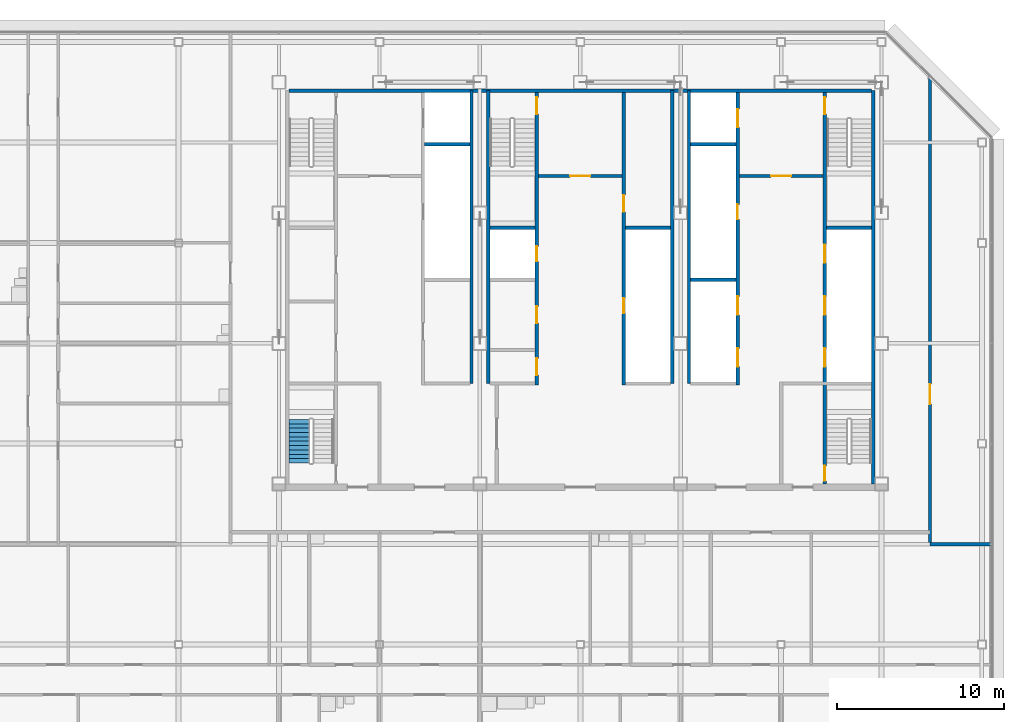
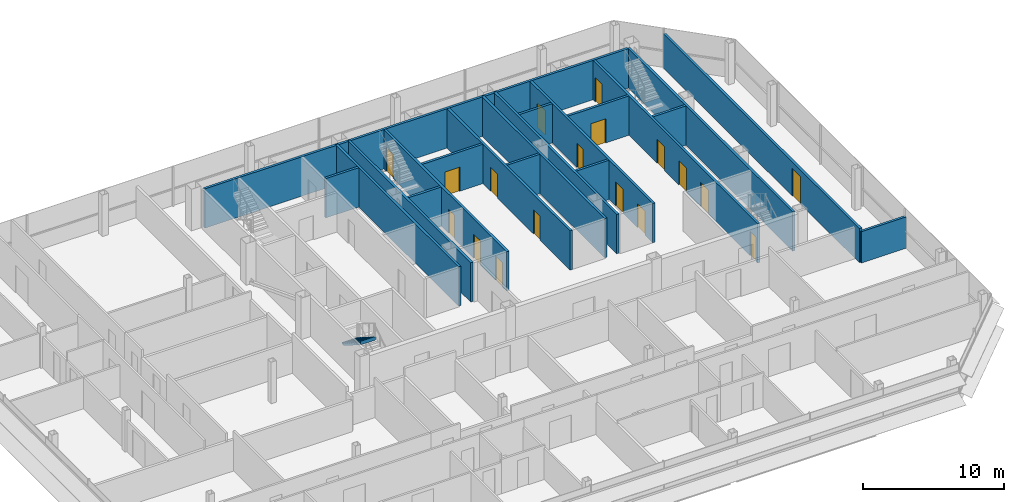
# One storey, part 24 of 27: 20 walls, 18 doors, 1 stair flight, 18 openings, 1 element without a shape of its own.
"""IFC4 building model written with IfcOpenShell, lengths in metres."""

from ifc_helpers import new_model, si_unit, direction, frame, frame_2d, origin, place, context, subcontext, project, spatial, polyline, rectangle, outline, extrude, material, layer, layer_set, type_object, element, fill, aggregate, save


model = new_model("IFC4")

# Units and contexts
model_context = context("Model", 3, precision=1e-05, world=origin(), true_north=direction((0.0, 1.0)))
body_context = subcontext(model_context, "Body", "Model", "MODEL_VIEW")
ifc_project = project(units=[si_unit("LENGTHUNIT", "METRE"), si_unit("AREAUNIT", "SQUARE_METRE"), si_unit("VOLUMEUNIT", "CUBIC_METRE"), si_unit("PLANEANGLEUNIT", "RADIAN"), si_unit("MASSUNIT", "GRAM", prefix="KILO")], contexts=[model_context])

# Site, building, storey
site_placement = place(None, origin())
site = spatial("IfcSite", under=ifc_project, at=site_placement, CompositionType="ELEMENT")
building_placement = place(site_placement, origin())
building = spatial("IfcBuilding", under=site, at=building_placement, Name="Sorahane Residences", CompositionType="ELEMENT")
storey_placement = place(building_placement, frame((0.0, 0.0, 323.199951171875)))
storey = spatial("IfcBuildingStorey", under=building, at=storey_placement, Name="L77", CompositionType="ELEMENT", Elevation=323.199951171875)

# Walls
ifc_material_1 = material(Name="Concrete C30", Category="concrete")
ifc_layer_1 = layer(ifc_material_1, 0.199951171875)
ifc_layer_set_1 = layer_set([ifc_layer_1], Name="Core face wall 200 EI 180")
wall_type_1 = type_object("IfcWallType", Name="Core face wall 200 EI 180", PredefinedType="SOLIDWALL", material=ifc_layer_set_1)
wall_1_placement = place(storey_placement, frame((41.5, 21.60009765625, 0.0), z_axis=(0.0, 0.0, 1.0), x_axis=(0.0, 1.0, 0.0)))
element("IfcWall", 1, at=wall_1_placement, inside=storey, type_object=wall_type_1, Name="L77 core face wall", PredefinedType="SOLIDWALL", context=body_context, shape_type="SweptSolid", body=[
    extrude(rectangle(XDim=23.5, YDim=0.199951171875, at=frame_2d((11.75, 0.0))), origin(), (0.0, 0.0, 1.0), 3.420166015625),
])
wall_2_placement = place(storey_placement, frame((6.60009765625, 45.10009765625, 0.0), z_axis=(0.0, 0.0, 1.0), x_axis=(1.0, 0.0, 0.0)))
element("IfcWall", 2, at=wall_2_placement, inside=storey, type_object=wall_type_1, Name="L77 core face wall", PredefinedType="SOLIDWALL", context=body_context, shape_type="SweptSolid", body=[
    extrude(rectangle(XDim=34.7998046875, YDim=0.199951171875, at=frame_2d((17.39990234375, 0.0))), origin(), (0.0, 0.0, 1.0), 3.420166015625),
])
for number, where, z_axis, x_axis, name in (
    (3, (17.5, 27.60009765625, 0.0), (0.0, 0.0, 1.0), (0.0, 1.0, 0.0), "L77 core face wall"),
    (4, (18.5, 27.60009765625, 0.0), (0.0, 0.0, 1.0), (0.0, 1.0, 0.0), "L77 core face wall"),
    (5, (29.5, 27.60009765625, 0.0), (0.0, 0.0, 1.0), (0.0, 1.0, 0.0), "L77 core face wall"),
    (6, (30.5, 27.60009765625, 0.0), (0.0, 0.0, 1.0), (0.0, 1.0, 0.0), "L77 core face wall"),
):
    element("IfcWall", number, at=place(storey_placement, frame(where, z_axis=z_axis, x_axis=x_axis)), inside=storey, type_object=wall_type_1, Name=name, PredefinedType="SOLIDWALL", context=body_context, shape_type="SweptSolid", body=[
        extrude(rectangle(XDim=17.5, YDim=0.199951171875, at=frame_2d((8.75, 0.0))), origin(), (0.0, 0.0, 1.0), 3.420166015625),
    ])

# Wall, opening, door
ifc_material_2 = material(Name="Concrete blockwork C20 wall", Category="masonry")
ifc_layer_2 = layer(ifc_material_2, 0.199951171875)
ifc_layer_set_2 = layer_set([ifc_layer_2], Name="Corridor wall 200 EI 120")
wall_type_2 = type_object("IfcWallType", Name="Corridor wall 200 EI 120", PredefinedType="SOLIDWALL", material=ifc_layer_set_2)
wall_3_placement = place(storey_placement, frame((44.89990234375, 18.0, 0.0), z_axis=(0.0, 0.0, 1.0), x_axis=(0.0, 1.0, 0.0)))
wall_3 = element("IfcWall", 7, at=wall_3_placement, inside=storey, type_object=wall_type_2, Name="L77 corridor wall", PredefinedType="SOLIDWALL", context=body_context, shape_type="SweptSolid", body=[
    extrude(rectangle(XDim=27.948974609375, YDim=0.199951171875, at=frame_2d((13.974609375, 0.0))), origin(), (0.0, 0.0, 1.0), 2.969970703125),
])
opening_1_placement = place(wall_3_placement, frame((8.360107421875, 0.0, 0.0)))
opening_1 = element("IfcOpeningElement", 8, at=opening_1_placement, cuts=wall_3, Name="Opening L77-41", PredefinedType="OPENING", context=body_context, shape_type="SweptSolid", body=[
    extrude(rectangle(XDim=1.199951171875, YDim=2.39990234375, at=frame_2d((0.60009765625, 1.199951171875))), frame((0.0, 0.10986328125, 0.0), z_axis=(0.0, -1.0, 0.0), x_axis=(1.0, 0.0, 0.0)), (0.0, 0.0, 1.0), 0.219970703125),
])
ifc_material_3 = material(Name="Steel", Category="steel")
door_type_1 = type_object("IfcDoorType", Name="Lobby door 1200x2400 FD60", OperationType="NOTDEFINED", PredefinedType="DOOR", material=ifc_material_3)
door_1_placement = place(opening_1_placement, frame((1.199951171875, 0.0, 0.0), z_axis=(0.0, 0.0, 1.0), x_axis=(-1.0, 0.0, 0.0)))
door_1 = element("IfcDoor", 9, at=door_1_placement, inside=storey, type_object=door_type_1, Name="Lobby door L77-41", OperationType="SINGLE_SWING_RIGHT", OverallHeight=2.39990234375, OverallWidth=1.199951171875, PredefinedType="DOOR", context=body_context, shape_type="SweptSolid", body=[
    extrude(rectangle(XDim=1.199951171875, YDim=2.39990234375, at=frame_2d((0.60009765625, 1.199951171875))), frame((0.0, 0.02490234375, 0.0), z_axis=(0.0, -1.0, 0.0), x_axis=(1.0, 0.0, 0.0)), (0.0, 0.0, 1.0), 0.050048828125),
])
fill(opening_1, door_1)

# Wall
wall_4_placement = place(storey_placement, frame((44.89990234375, 18.0, 0.0), z_axis=(0.0, 0.0, 1.0), x_axis=(1.0, 0.0, 0.0)))
element("IfcWall", 10, at=wall_4_placement, inside=storey, type_object=wall_type_2, Name="L77 corridor wall", PredefinedType="SOLIDWALL", context=body_context, shape_type="SweptSolid", body=[
    extrude(rectangle(XDim=3.7001953125, YDim=0.199951171875, at=frame_2d((1.85009765625, 0.0))), origin(), (0.0, 0.0, 1.0), 2.719970703125),
])

# Wall, opening, door
ifc_material_4 = material(Name="Concrete C30", Category="concrete")
ifc_layer_3 = layer(ifc_material_4, 0.199951171875)
ifc_layer_set_3 = layer_set([ifc_layer_3], Name="Front room wall 200 EI 120")
wall_type_3 = type_object("IfcWallType", Name="Front room wall 200 EI 120", PredefinedType="PARTITIONING", material=ifc_layer_set_3)
wall_5_placement = place(storey_placement, frame((21.5, 40.0, 0.0), z_axis=(0.0, 0.0, 1.0), x_axis=(1.0, 0.0, 0.0)))
wall_5 = element("IfcWall", 11, at=wall_5_placement, inside=storey, type_object=wall_type_3, Name="L77 front room wall", PredefinedType="PARTITIONING", context=body_context, shape_type="SweptSolid", body=[
    extrude(rectangle(XDim=5.0, YDim=0.199951171875, at=frame_2d((2.5, 0.0))), origin(), (0.0, 0.0, 1.0), 3.420166015625),
])
opening_2_placement = place(wall_5_placement, frame((1.89990234375, 0.0, 0.0)))
opening_2 = element("IfcOpeningElement", 12, at=opening_2_placement, cuts=wall_5, Name="Opening L77-C08", PredefinedType="OPENING", context=body_context, shape_type="SweptSolid", body=[
    extrude(rectangle(XDim=1.199951171875, YDim=2.10009765625, at=frame_2d((0.60009765625, 1.050048828125))), frame((0.0, 0.10986328125, 0.0), z_axis=(0.0, -1.0, 0.0), x_axis=(1.0, 0.0, 0.0)), (0.0, 0.0, 1.0), 0.219970703125),
])
ifc_material_5 = material(Name="Steel", Category="steel")
door_type_2 = type_object("IfcDoorType", Name="Front room door 1200x2100 FD120", OperationType="NOTDEFINED", PredefinedType="DOOR", material=ifc_material_5)
door_2_placement = place(opening_2_placement, frame((1.199951171875, 0.0, 0.0), z_axis=(0.0, 0.0, 1.0), x_axis=(-1.0, 0.0, 0.0)))
door_2 = element("IfcDoor", 13, at=door_2_placement, inside=storey, type_object=door_type_2, Name="Front room door Stair S3 vestibule L77", OperationType="DOUBLE_DOOR_SINGLE_SWING", OverallHeight=2.10009765625, OverallWidth=1.199951171875, PredefinedType="DOOR", context=body_context, shape_type="SweptSolid", body=[
    extrude(rectangle(XDim=1.199951171875, YDim=2.10009765625, at=frame_2d((0.60009765625, 1.050048828125))), frame((0.0, 0.02490234375, 0.0), z_axis=(0.0, -1.0, 0.0), x_axis=(1.0, 0.0, 0.0)), (0.0, 0.0, 1.0), 0.050048828125),
])
fill(opening_2, door_2)

wall_6_placement = place(storey_placement, frame((33.5, 40.0, 0.0), z_axis=(0.0, 0.0, 1.0), x_axis=(1.0, 0.0, 0.0)))
wall_6 = element("IfcWall", 14, at=wall_6_placement, inside=storey, type_object=wall_type_3, Name="L77 front room wall", PredefinedType="PARTITIONING", context=body_context, shape_type="SweptSolid", body=[
    extrude(rectangle(XDim=5.0, YDim=0.199951171875, at=frame_2d((2.5, 0.0))), origin(), (0.0, 0.0, 1.0), 3.420166015625),
])
opening_3_placement = place(wall_6_placement, frame((1.89990234375, 0.0, 0.0)))
opening_3 = element("IfcOpeningElement", 15, at=opening_3_placement, cuts=wall_6, Name="Opening L77-C09", PredefinedType="OPENING", context=body_context, shape_type="SweptSolid", body=[
    extrude(rectangle(XDim=1.199951171875, YDim=2.10009765625, at=frame_2d((0.60009765625, 1.050048828125))), frame((0.0, 0.10986328125, 0.0), z_axis=(0.0, -1.0, 0.0), x_axis=(1.0, 0.0, 0.0)), (0.0, 0.0, 1.0), 0.219970703125),
])
door_3_placement = place(opening_3_placement, frame((1.199951171875, 0.0, 0.0), z_axis=(0.0, 0.0, 1.0), x_axis=(-1.0, 0.0, 0.0)))
door_3 = element("IfcDoor", 16, at=door_3_placement, inside=storey, type_object=door_type_2, Name="Front room door Firefighting lobby FF2 front room L77", OperationType="DOUBLE_DOOR_SINGLE_SWING", OverallHeight=2.10009765625, OverallWidth=1.199951171875, PredefinedType="DOOR", context=body_context, shape_type="SweptSolid", body=[
    extrude(rectangle(XDim=1.199951171875, YDim=2.10009765625, at=frame_2d((0.60009765625, 1.050048828125))), frame((0.0, 0.02490234375, 0.0), z_axis=(0.0, -1.0, 0.0), x_axis=(1.0, 0.0, 0.0)), (0.0, 0.0, 1.0), 0.050048828125),
])
fill(opening_3, door_3)

# Wall, openings, doors
ifc_material_6 = material(Name="Concrete C30", Category="concrete")
ifc_layer_4 = layer(ifc_material_6, 0.199951171875)
ifc_layer_set_4 = layer_set([ifc_layer_4], Name="Lift shaft wall 200 EI 120")
wall_type_4 = type_object("IfcWallType", Name="Lift shaft wall 200 EI 120", PredefinedType="SOLIDWALL", material=ifc_layer_set_4)
wall_7_placement = place(storey_placement, frame((33.39990234375, 27.5, 0.0), z_axis=(0.0, 0.0, 1.0), x_axis=(0.0, 1.0, 0.0)))
wall_7 = element("IfcWall", 17, at=wall_7_placement, inside=storey, type_object=wall_type_4, Name="L77 lift shaft wall", PredefinedType="SOLIDWALL", context=body_context, shape_type="SweptSolid", body=[
    extrude(rectangle(XDim=17.5, YDim=0.199951171875, at=frame_2d((8.75, 0.0))), origin(), (0.0, 0.0, 1.0), 3.420166015625),
])
opening_4_placement = place(wall_7_placement, frame((1.10009765625, 0.0, 0.0)))
opening_4 = element("IfcOpeningElement", 18, at=opening_4_placement, cuts=wall_7, Name="Opening L77-C13", PredefinedType="OPENING", context=body_context, shape_type="SweptSolid", body=[
    extrude(rectangle(XDim=1.10009765625, YDim=2.10009765625, at=frame_2d((0.550048828125, 1.050048828125))), frame((0.0, 0.10986328125, 0.0), z_axis=(0.0, -1.0, 0.0), x_axis=(1.0, 0.0, 0.0)), (0.0, 0.0, 1.0), 0.219970703125),
])
opening_5_placement = place(wall_7_placement, frame((4.199951171875, 0.0, 0.0)))
opening_5 = element("IfcOpeningElement", 19, at=opening_5_placement, cuts=wall_7, Name="Opening L77-C14", PredefinedType="OPENING", context=body_context, shape_type="SweptSolid", body=[
    extrude(rectangle(XDim=1.10009765625, YDim=2.10009765625, at=frame_2d((0.550048828125, 1.050048828125))), frame((0.0, 0.10986328125, 0.0), z_axis=(0.0, -1.0, 0.0), x_axis=(1.0, 0.0, 0.0)), (0.0, 0.0, 1.0), 0.219970703125),
])
opening_6_placement = place(wall_7_placement, frame((15.39990234375, 0.0, 0.0)))
opening_6 = element("IfcOpeningElement", 20, at=opening_6_placement, cuts=wall_7, Name="Opening L77-C15", PredefinedType="OPENING", context=body_context, shape_type="SweptSolid", body=[
    extrude(rectangle(XDim=1.10009765625, YDim=2.10009765625, at=frame_2d((0.550048828125, 1.050048828125))), frame((0.0, 0.10986328125, 0.0), z_axis=(0.0, -1.0, 0.0), x_axis=(1.0, 0.0, 0.0)), (0.0, 0.0, 1.0), 0.219970703125),
])
opening_7_placement = place(wall_7_placement, frame((9.89990234375, 0.0, 0.0)))
opening_7 = element("IfcOpeningElement", 21, at=opening_7_placement, cuts=wall_7, Name="Opening L77-C28", PredefinedType="OPENING", context=body_context, shape_type="SweptSolid", body=[
    extrude(rectangle(XDim=0.89990234375, YDim=2.10009765625, at=frame_2d((0.449951171875, 1.050048828125))), frame((0.0, 0.10986328125, 0.0), z_axis=(0.0, -1.0, 0.0), x_axis=(1.0, 0.0, 0.0)), (0.0, 0.0, 1.0), 0.219970703125),
])
ifc_material_7 = material(Name="Aluminium and stainless steel", Category="steel")
door_type_3 = type_object("IfcDoorType", Name="Lift landing door 1100x2100 E 60", OperationType="NOTDEFINED", PredefinedType="DOOR", material=ifc_material_7)
door_4_placement = place(opening_4_placement, origin())
door_4 = element("IfcDoor", 22, at=door_4_placement, inside=storey, type_object=door_type_3, Name="Lift landing door HR4 L77", OperationType="DOUBLE_DOOR_SLIDING", OverallHeight=2.10009765625, OverallWidth=1.10009765625, PredefinedType="DOOR", context=body_context, shape_type="SweptSolid", body=[
    extrude(rectangle(XDim=1.10009765625, YDim=2.10009765625, at=frame_2d((0.550048828125, 1.050048828125))), frame((0.0, 0.02490234375, 0.0), z_axis=(0.0, -1.0, 0.0), x_axis=(1.0, 0.0, 0.0)), (0.0, 0.0, 1.0), 0.050048828125),
])
fill(opening_4, door_4)
door_5_placement = place(opening_5_placement, origin())
door_5 = element("IfcDoor", 23, at=door_5_placement, inside=storey, type_object=door_type_3, Name="Lift landing door HR5 L77", OperationType="DOUBLE_DOOR_SLIDING", OverallHeight=2.10009765625, OverallWidth=1.10009765625, PredefinedType="DOOR", context=body_context, shape_type="SweptSolid", body=[
    extrude(rectangle(XDim=1.10009765625, YDim=2.10009765625, at=frame_2d((0.550048828125, 1.050048828125))), frame((0.0, 0.02490234375, 0.0), z_axis=(0.0, -1.0, 0.0), x_axis=(1.0, 0.0, 0.0)), (0.0, 0.0, 1.0), 0.050048828125),
])
fill(opening_5, door_5)
door_6_placement = place(opening_6_placement, origin())
door_6 = element("IfcDoor", 24, at=door_6_placement, inside=storey, type_object=door_type_3, Name="Lift landing door FF2 L77", OperationType="DOUBLE_DOOR_SLIDING", OverallHeight=2.10009765625, OverallWidth=1.10009765625, PredefinedType="DOOR", context=body_context, shape_type="SweptSolid", body=[
    extrude(rectangle(XDim=1.10009765625, YDim=2.10009765625, at=frame_2d((0.550048828125, 1.050048828125))), frame((0.0, 0.02490234375, 0.0), z_axis=(0.0, -1.0, 0.0), x_axis=(1.0, 0.0, 0.0)), (0.0, 0.0, 1.0), 0.050048828125),
])
fill(opening_6, door_6)
ifc_material_8 = material(Name="Steel", Category="steel")
door_type_4 = type_object("IfcDoorType", Name="Riser door 900x2100 FD120", OperationType="NOTDEFINED", PredefinedType="DOOR", material=ifc_material_8)
door_7_placement = place(opening_7_placement, frame((0.89990234375, 0.0, 0.0), z_axis=(0.0, 0.0, 1.0), x_axis=(-1.0, 0.0, 0.0)))
door_7 = element("IfcDoor", 25, at=door_7_placement, inside=storey, type_object=door_type_4, Name="Riser door R2 L77", OperationType="SINGLE_SWING_LEFT", OverallHeight=2.10009765625, OverallWidth=0.89990234375, PredefinedType="DOOR", context=body_context, shape_type="SweptSolid", body=[
    extrude(rectangle(XDim=0.89990234375, YDim=2.10009765625, at=frame_2d((0.449951171875, 1.050048828125))), frame((0.0, 0.02490234375, 0.0), z_axis=(0.0, -1.0, 0.0), x_axis=(1.0, 0.0, 0.0)), (0.0, 0.0, 1.0), 0.050048828125),
])
fill(opening_7, door_7)

# Walls
for number, where, z_axis, x_axis, name in (
    (26, (30.60009765625, 33.800048828125, 0.0), (0.0, 0.0, 1.0), (1.0, 0.0, 0.0), "L77 lift shaft wall"),
    (27, (14.699951171875, 41.89990234375, 0.0), (0.0, 0.0, 1.0), (1.0, 0.0, 0.0), "L77 lift shaft wall"),
    (28, (30.60009765625, 41.89990234375, 0.0), (0.0, 0.0, 1.0), (1.0, 0.0, 0.0), "L77 lift shaft wall"),
):
    element("IfcWall", number, at=place(storey_placement, frame(where, z_axis=z_axis, x_axis=x_axis)), inside=storey, type_object=wall_type_4, Name=name, PredefinedType="SOLIDWALL", context=body_context, shape_type="SweptSolid", body=[
        extrude(rectangle(XDim=2.699951171875, YDim=0.199951171875, at=frame_2d((1.35009765625, 0.0))), origin(), (0.0, 0.0, 1.0), 3.420166015625),
    ])

# Wall, openings, doors
ifc_material_9 = material(Name="Concrete C30", Category="concrete")
ifc_layer_5 = layer(ifc_material_9, 0.199951171875)
ifc_layer_set_5 = layer_set([ifc_layer_5], Name="Riser shaft wall 200 EI 120")
wall_type_5 = type_object("IfcWallType", Name="Riser shaft wall 200 EI 120", PredefinedType="SOLIDWALL", material=ifc_layer_set_5)
wall_8_placement = place(storey_placement, frame((26.60009765625, 27.5, 0.0), z_axis=(0.0, 0.0, 1.0), x_axis=(0.0, 1.0, 0.0)))
wall_8 = element("IfcWall", 29, at=wall_8_placement, inside=storey, type_object=wall_type_5, Name="L77 riser wall", PredefinedType="SOLIDWALL", context=body_context, shape_type="SweptSolid", body=[
    extrude(rectangle(XDim=17.5, YDim=0.199951171875, at=frame_2d((8.75, 0.0))), origin(), (0.0, 0.0, 1.0), 3.420166015625),
])
opening_8_placement = place(wall_8_placement, frame((4.300048828125, 0.0, 0.0)))
opening_8 = element("IfcOpeningElement", 30, at=opening_8_placement, cuts=wall_8, Name="Opening L77-C30", PredefinedType="OPENING", context=body_context, shape_type="SweptSolid", body=[
    extrude(rectangle(XDim=0.89990234375, YDim=2.10009765625, at=frame_2d((0.449951171875, 1.050048828125))), frame((0.0, 0.10986328125, 0.0), z_axis=(0.0, -1.0, 0.0), x_axis=(1.0, 0.0, 0.0)), (0.0, 0.0, 1.0), 0.219970703125),
])
opening_9_placement = place(wall_8_placement, frame((10.35009765625, 0.0, 0.0)))
opening_9 = element("IfcOpeningElement", 31, at=opening_9_placement, cuts=wall_8, Name="Opening L77-C31", PredefinedType="OPENING", context=body_context, shape_type="SweptSolid", body=[
    extrude(rectangle(XDim=1.0, YDim=2.10009765625, at=frame_2d((0.5, 1.050048828125))), frame((0.0, 0.10986328125, 0.0), z_axis=(0.0, -1.0, 0.0), x_axis=(1.0, 0.0, 0.0)), (0.0, 0.0, 1.0), 0.219970703125),
])
door_8_placement = place(opening_8_placement, origin())
door_8 = element("IfcDoor", 32, at=door_8_placement, inside=storey, type_object=door_type_4, Name="Riser door R4 L77", OperationType="SINGLE_SWING_LEFT", OverallHeight=2.10009765625, OverallWidth=0.89990234375, PredefinedType="DOOR", context=body_context, shape_type="SweptSolid", body=[
    extrude(rectangle(XDim=0.89990234375, YDim=2.10009765625, at=frame_2d((0.449951171875, 1.050048828125))), frame((0.0, 0.02490234375, 0.0), z_axis=(0.0, -1.0, 0.0), x_axis=(1.0, 0.0, 0.0)), (0.0, 0.0, 1.0), 0.050048828125),
])
fill(opening_8, door_8)
ifc_material_10 = material(Name="Steel", Category="steel")
door_type_5 = type_object("IfcDoorType", Name="Service room door 1000x2100 FD60", OperationType="NOTDEFINED", PredefinedType="DOOR", material=ifc_material_10)
door_9_placement = place(opening_9_placement, frame((1.0, 0.0, 0.0), z_axis=(0.0, 0.0, 1.0), x_axis=(-1.0, 0.0, 0.0)))
door_9 = element("IfcDoor", 33, at=door_9_placement, inside=storey, type_object=door_type_5, Name="Service room door Housekeeping store L77", OperationType="SINGLE_SWING_LEFT", OverallHeight=2.10009765625, OverallWidth=1.0, PredefinedType="DOOR", context=body_context, shape_type="SweptSolid", body=[
    extrude(rectangle(XDim=1.0, YDim=2.10009765625, at=frame_2d((0.5, 1.050048828125))), frame((0.0, 0.02490234375, 0.0), z_axis=(0.0, -1.0, 0.0), x_axis=(1.0, 0.0, 0.0)), (0.0, 0.0, 1.0), 0.050048828125),
])
fill(opening_9, door_9)

# Wall
wall_9_placement = place(storey_placement, frame((26.699951171875, 36.89990234375, 0.0), z_axis=(0.0, 0.0, 1.0), x_axis=(1.0, 0.0, 0.0)))
element("IfcWall", 34, at=wall_9_placement, inside=storey, type_object=wall_type_5, Name="L77 riser wall", PredefinedType="SOLIDWALL", context=body_context, shape_type="SweptSolid", body=[
    extrude(rectangle(XDim=2.699951171875, YDim=0.199951171875, at=frame_2d((1.35009765625, 0.0))), origin(), (0.0, 0.0, 1.0), 3.420166015625),
])

# Wall, openings, doors
ifc_material_11 = material(Name="Concrete C30", Category="concrete")
ifc_layer_6 = layer(ifc_material_11, 0.199951171875)
ifc_layer_set_6 = layer_set([ifc_layer_6], Name="Stair enclosure wall 200 EI 120")
wall_type_6 = type_object("IfcWallType", Name="Stair enclosure wall 200 EI 120", PredefinedType="SOLIDWALL", material=ifc_layer_set_6)
wall_10_placement = place(storey_placement, frame((21.39990234375, 27.5, 0.0), z_axis=(0.0, 0.0, 1.0), x_axis=(0.0, 1.0, 0.0)))
wall_10 = element("IfcWall", 35, at=wall_10_placement, inside=storey, type_object=wall_type_6, Name="L77 stair enclosure wall", PredefinedType="SOLIDWALL", context=body_context, shape_type="SweptSolid", body=[
    extrude(rectangle(XDim=17.5, YDim=0.199951171875, at=frame_2d((8.75, 0.0))), origin(), (0.0, 0.0, 1.0), 3.420166015625),
])
opening_10_placement = place(wall_10_placement, frame((0.60009765625, 0.0, 0.0)))
opening_10 = element("IfcOpeningElement", 36, at=opening_10_placement, cuts=wall_10, Name="Opening L77-C17", PredefinedType="OPENING", context=body_context, shape_type="SweptSolid", body=[
    extrude(rectangle(XDim=1.0, YDim=2.10009765625, at=frame_2d((0.5, 1.050048828125))), frame((0.0, 0.10986328125, 0.0), z_axis=(0.0, -1.0, 0.0), x_axis=(1.0, 0.0, 0.0)), (0.0, 0.0, 1.0), 0.219970703125),
])
opening_11_placement = place(wall_10_placement, frame((3.699951171875, 0.0, 0.0)))
opening_11 = element("IfcOpeningElement", 37, at=opening_11_placement, cuts=wall_10, Name="Opening L77-C18", PredefinedType="OPENING", context=body_context, shape_type="SweptSolid", body=[
    extrude(rectangle(XDim=1.0, YDim=2.10009765625, at=frame_2d((0.5, 1.050048828125))), frame((0.0, 0.10986328125, 0.0), z_axis=(0.0, -1.0, 0.0), x_axis=(1.0, 0.0, 0.0)), (0.0, 0.0, 1.0), 0.219970703125),
])
opening_12_placement = place(wall_10_placement, frame((16.199951171875, 0.0, 0.0)))
opening_12 = element("IfcOpeningElement", 38, at=opening_12_placement, cuts=wall_10, Name="Opening L77-C24", PredefinedType="OPENING", context=body_context, shape_type="SweptSolid", body=[
    extrude(rectangle(XDim=1.0, YDim=2.10009765625, at=frame_2d((0.5, 1.050048828125))), frame((0.0, 0.10986328125, 0.0), z_axis=(0.0, -1.0, 0.0), x_axis=(1.0, 0.0, 0.0)), (0.0, 0.0, 1.0), 0.219970703125),
])
opening_13_placement = place(wall_10_placement, frame((7.39990234375, 0.0, 0.0)))
opening_13 = element("IfcOpeningElement", 39, at=opening_13_placement, cuts=wall_10, Name="Opening L77-C29", PredefinedType="OPENING", context=body_context, shape_type="SweptSolid", body=[
    extrude(rectangle(XDim=0.89990234375, YDim=2.10009765625, at=frame_2d((0.449951171875, 1.050048828125))), frame((0.0, 0.10986328125, 0.0), z_axis=(0.0, -1.0, 0.0), x_axis=(1.0, 0.0, 0.0)), (0.0, 0.0, 1.0), 0.219970703125),
])
door_10_placement = place(opening_13_placement, frame((0.89990234375, 0.0, 0.0), z_axis=(0.0, 0.0, 1.0), x_axis=(-1.0, 0.0, 0.0)))
door_10 = element("IfcDoor", 40, at=door_10_placement, inside=storey, type_object=door_type_4, Name="Riser door R3 L77", OperationType="SINGLE_SWING_LEFT", OverallHeight=2.10009765625, OverallWidth=0.89990234375, PredefinedType="DOOR", context=body_context, shape_type="SweptSolid", body=[
    extrude(rectangle(XDim=0.89990234375, YDim=2.10009765625, at=frame_2d((0.449951171875, 1.050048828125))), frame((0.0, 0.02490234375, 0.0), z_axis=(0.0, -1.0, 0.0), x_axis=(1.0, 0.0, 0.0)), (0.0, 0.0, 1.0), 0.050048828125),
])
fill(opening_13, door_10)
door_11_placement = place(opening_10_placement, origin())
door_11 = element("IfcDoor", 41, at=door_11_placement, inside=storey, type_object=door_type_5, Name="Service room door Coat store L77", OperationType="SINGLE_SWING_LEFT", OverallHeight=2.10009765625, OverallWidth=1.0, PredefinedType="DOOR", context=body_context, shape_type="SweptSolid", body=[
    extrude(rectangle(XDim=1.0, YDim=2.10009765625, at=frame_2d((0.5, 1.050048828125))), frame((0.0, 0.02490234375, 0.0), z_axis=(0.0, -1.0, 0.0), x_axis=(1.0, 0.0, 0.0)), (0.0, 0.0, 1.0), 0.050048828125),
])
fill(opening_10, door_11)
door_12_placement = place(opening_11_placement, origin())
door_12 = element("IfcDoor", 42, at=door_12_placement, inside=storey, type_object=door_type_5, Name="Service room door Lounge L77", OperationType="SINGLE_SWING_RIGHT", OverallHeight=2.10009765625, OverallWidth=1.0, PredefinedType="DOOR", context=body_context, shape_type="SweptSolid", body=[
    extrude(rectangle(XDim=1.0, YDim=2.10009765625, at=frame_2d((0.5, 1.050048828125))), frame((0.0, 0.02490234375, 0.0), z_axis=(0.0, -1.0, 0.0), x_axis=(1.0, 0.0, 0.0)), (0.0, 0.0, 1.0), 0.050048828125),
])
fill(opening_11, door_12)
ifc_material_12 = material(Name="Steel", Category="steel")
door_type_6 = type_object("IfcDoorType", Name="Stair door 1000x2100 FD120", OperationType="NOTDEFINED", PredefinedType="DOOR", material=ifc_material_12)
door_13_placement = place(opening_12_placement, origin())
door_13 = element("IfcDoor", 43, at=door_13_placement, inside=storey, type_object=door_type_6, Name="Stair door S3 L77", OperationType="SINGLE_SWING_LEFT", OverallHeight=2.10009765625, OverallWidth=1.0, PredefinedType="DOOR", context=body_context, shape_type="SweptSolid", body=[
    extrude(rectangle(XDim=1.0, YDim=2.10009765625, at=frame_2d((0.5, 1.050048828125))), frame((0.0, 0.02490234375, 0.0), z_axis=(0.0, -1.0, 0.0), x_axis=(1.0, 0.0, 0.0)), (0.0, 0.0, 1.0), 0.050048828125),
])
fill(opening_12, door_13)

wall_11_placement = place(storey_placement, frame((38.60009765625, 21.60009765625, 0.0), z_axis=(0.0, 0.0, 1.0), x_axis=(0.0, 1.0, 0.0)))
wall_11 = element("IfcWall", 44, at=wall_11_placement, inside=storey, type_object=wall_type_6, Name="L77 stair enclosure wall", PredefinedType="SOLIDWALL", context=body_context, shape_type="SweptSolid", body=[
    extrude(rectangle(XDim=23.39990234375, YDim=0.199951171875, at=frame_2d((11.699951171875, 0.0))), origin(), (0.0, 0.0, 1.0), 3.420166015625),
])
opening_14_placement = place(wall_11_placement, frame((7.0, 0.0, 0.0)))
opening_14 = element("IfcOpeningElement", 45, at=opening_14_placement, cuts=wall_11, Name="Opening L77-C10", PredefinedType="OPENING", context=body_context, shape_type="SweptSolid", body=[
    extrude(rectangle(XDim=1.10009765625, YDim=2.10009765625, at=frame_2d((0.550048828125, 1.050048828125))), frame((0.0, 0.10986328125, 0.0), z_axis=(0.0, -1.0, 0.0), x_axis=(1.0, 0.0, 0.0)), (0.0, 0.0, 1.0), 0.219970703125),
])
opening_15_placement = place(wall_11_placement, frame((10.10009765625, 0.0, 0.0)))
opening_15 = element("IfcOpeningElement", 46, at=opening_15_placement, cuts=wall_11, Name="Opening L77-C11", PredefinedType="OPENING", context=body_context, shape_type="SweptSolid", body=[
    extrude(rectangle(XDim=1.10009765625, YDim=2.10009765625, at=frame_2d((0.550048828125, 1.050048828125))), frame((0.0, 0.10986328125, 0.0), z_axis=(0.0, -1.0, 0.0), x_axis=(1.0, 0.0, 0.0)), (0.0, 0.0, 1.0), 0.219970703125),
])
opening_16_placement = place(wall_11_placement, frame((13.199951171875, 0.0, 0.0)))
opening_16 = element("IfcOpeningElement", 47, at=opening_16_placement, cuts=wall_11, Name="Opening L77-C12", PredefinedType="OPENING", context=body_context, shape_type="SweptSolid", body=[
    extrude(rectangle(XDim=1.10009765625, YDim=2.10009765625, at=frame_2d((0.550048828125, 1.050048828125))), frame((0.0, 0.10986328125, 0.0), z_axis=(0.0, -1.0, 0.0), x_axis=(1.0, 0.0, 0.0)), (0.0, 0.0, 1.0), 0.219970703125),
])
opening_17_placement = place(wall_11_placement, frame((22.10009765625, 0.0, 0.0)))
opening_17 = element("IfcOpeningElement", 48, at=opening_17_placement, cuts=wall_11, Name="Opening L77-C23", PredefinedType="OPENING", context=body_context, shape_type="SweptSolid", body=[
    extrude(rectangle(XDim=1.0, YDim=2.10009765625, at=frame_2d((0.5, 1.050048828125))), frame((0.0, 0.10986328125, 0.0), z_axis=(0.0, -1.0, 0.0), x_axis=(1.0, 0.0, 0.0)), (0.0, 0.0, 1.0), 0.219970703125),
])
opening_18_placement = place(wall_11_placement, frame((0.175048828125, 0.0, 0.0)))
opening_18 = element("IfcOpeningElement", 49, at=opening_18_placement, cuts=wall_11, Name="Opening L77-C26", PredefinedType="OPENING", context=body_context, shape_type="SweptSolid", body=[
    extrude(rectangle(XDim=0.89990234375, YDim=2.10009765625, at=frame_2d((0.449951171875, 1.050048828125))), frame((0.0, 0.10986328125, 0.0), z_axis=(0.0, -1.0, 0.0), x_axis=(1.0, 0.0, 0.0)), (0.0, 0.0, 1.0), 0.219970703125),
])
door_14_placement = place(opening_14_placement, origin())
door_14 = element("IfcDoor", 50, at=door_14_placement, inside=storey, type_object=door_type_3, Name="Lift landing door HR1 L77", OperationType="DOUBLE_DOOR_SLIDING", OverallHeight=2.10009765625, OverallWidth=1.10009765625, PredefinedType="DOOR", context=body_context, shape_type="SweptSolid", body=[
    extrude(rectangle(XDim=1.10009765625, YDim=2.10009765625, at=frame_2d((0.550048828125, 1.050048828125))), frame((0.0, 0.02490234375, 0.0), z_axis=(0.0, -1.0, 0.0), x_axis=(1.0, 0.0, 0.0)), (0.0, 0.0, 1.0), 0.050048828125),
])
fill(opening_14, door_14)
door_15_placement = place(opening_15_placement, origin())
door_15 = element("IfcDoor", 51, at=door_15_placement, inside=storey, type_object=door_type_3, Name="Lift landing door HR2 L77", OperationType="DOUBLE_DOOR_SLIDING", OverallHeight=2.10009765625, OverallWidth=1.10009765625, PredefinedType="DOOR", context=body_context, shape_type="SweptSolid", body=[
    extrude(rectangle(XDim=1.10009765625, YDim=2.10009765625, at=frame_2d((0.550048828125, 1.050048828125))), frame((0.0, 0.02490234375, 0.0), z_axis=(0.0, -1.0, 0.0), x_axis=(1.0, 0.0, 0.0)), (0.0, 0.0, 1.0), 0.050048828125),
])
fill(opening_15, door_15)
door_16_placement = place(opening_16_placement, origin())
door_16 = element("IfcDoor", 52, at=door_16_placement, inside=storey, type_object=door_type_3, Name="Lift landing door HR3 L77", OperationType="DOUBLE_DOOR_SLIDING", OverallHeight=2.10009765625, OverallWidth=1.10009765625, PredefinedType="DOOR", context=body_context, shape_type="SweptSolid", body=[
    extrude(rectangle(XDim=1.10009765625, YDim=2.10009765625, at=frame_2d((0.550048828125, 1.050048828125))), frame((0.0, 0.02490234375, 0.0), z_axis=(0.0, -1.0, 0.0), x_axis=(1.0, 0.0, 0.0)), (0.0, 0.0, 1.0), 0.050048828125),
])
fill(opening_16, door_16)
door_17_placement = place(opening_17_placement, frame((1.0, 0.0, 0.0), z_axis=(0.0, 0.0, 1.0), x_axis=(-1.0, 0.0, 0.0)))
door_17 = element("IfcDoor", 53, at=door_17_placement, inside=storey, type_object=door_type_6, Name="Stair door S2 L77", OperationType="SINGLE_SWING_LEFT", OverallHeight=2.10009765625, OverallWidth=1.0, PredefinedType="DOOR", context=body_context, shape_type="SweptSolid", body=[
    extrude(rectangle(XDim=1.0, YDim=2.10009765625, at=frame_2d((0.5, 1.050048828125))), frame((0.0, 0.02490234375, 0.0), z_axis=(0.0, -1.0, 0.0), x_axis=(1.0, 0.0, 0.0)), (0.0, 0.0, 1.0), 0.050048828125),
])
fill(opening_17, door_17)
ifc_material_13 = material(Name="Steel", Category="steel")
door_type_7 = type_object("IfcDoorType", Name="Stair door 900x2100 FD120", OperationType="NOTDEFINED", PredefinedType="DOOR", material=ifc_material_13)
door_18_placement = place(opening_18_placement, frame((0.89990234375, 0.0, 0.0), z_axis=(0.0, 0.0, 1.0), x_axis=(-1.0, 0.0, 0.0)))
door_18 = element("IfcDoor", 54, at=door_18_placement, inside=storey, type_object=door_type_7, Name="Stair door S5 L77", OperationType="SINGLE_SWING_LEFT", OverallHeight=2.10009765625, OverallWidth=0.89990234375, PredefinedType="DOOR", context=body_context, shape_type="SweptSolid", body=[
    extrude(rectangle(XDim=0.89990234375, YDim=2.10009765625, at=frame_2d((0.449951171875, 1.050048828125))), frame((0.0, 0.02490234375, 0.0), z_axis=(0.0, -1.0, 0.0), x_axis=(1.0, 0.0, 0.0)), (0.0, 0.0, 1.0), 0.050048828125),
])
fill(opening_18, door_18)

# Walls
for number, where, z_axis, x_axis, name in (
    (55, (18.60009765625, 36.89990234375, 0.0), (0.0, 0.0, 1.0), (1.0, 0.0, 0.0), "L77 stair enclosure wall"),
    (56, (38.699951171875, 36.89990234375, 0.0), (0.0, 0.0, 1.0), (1.0, 0.0, 0.0), "L77 stair enclosure wall"),
):
    element("IfcWall", number, at=place(storey_placement, frame(where, z_axis=z_axis, x_axis=x_axis)), inside=storey, type_object=wall_type_6, Name=name, PredefinedType="SOLIDWALL", context=body_context, shape_type="SweptSolid", body=[
        extrude(rectangle(XDim=2.699951171875, YDim=0.199951171875, at=frame_2d((1.35009765625, 0.0))), origin(), (0.0, 0.0, 1.0), 3.420166015625),
    ])

# Stair, stair flight
ifc_material_14 = material(Name="Concrete C40", Category="concrete")
stair_type = type_object("IfcStairType", Name="Dog-leg stair 1250 Concrete C40", PredefinedType="HALF_TURN_STAIR", material=ifc_material_14)
stair_placement = place(storey_placement, origin())
stair = element("IfcStair", 57, at=stair_placement, inside=storey, type_object=stair_type, Name="L77 Stair S4", PredefinedType="HALF_TURN_STAIR")
ifc_material_15 = material(Name="Concrete C40", Category="concrete")
stair_flight_type = type_object("IfcStairFlightType", Name="Stair flight 1250 Concrete C40", PredefinedType="STRAIGHT", material=ifc_material_15)
stair_flight_placement = place(storey_placement, frame((7.22509765625, 25.449951171875, 1.800048828125), z_axis=(0.0, 0.0, 1.0), x_axis=(0.0, -1.0, 0.0)))
stair_flight = element("IfcStairFlight", 58, at=stair_flight_placement, type_object=stair_flight_type, Name="S4 flight 2", NumberOfRisers=11, NumberOfTreads=10, PredefinedType="STRAIGHT", RiserHeight=0.163636364, TreadLength=0.26, context=body_context, shape_type="SweptSolid", body=[
    extrude(outline(polyline([(0.0, 0.0), (0.0, 0.16357421875), (0.260009765625, 0.16357421875), (0.260009765625, 0.327392578125), (0.52001953125, 0.327392578125), (0.52001953125, 0.490966796875), (0.780029296875, 0.490966796875), (0.780029296875, 0.654541015625), (1.0400390625, 0.654541015625), (1.0400390625, 0.818115234375), (1.300048828125, 0.818115234375), (1.300048828125, 0.98193359375), (1.56005859375, 0.98193359375), (1.56005859375, 1.1455078125), (1.820068359375, 1.1455078125), (1.820068359375, 1.30908203125), (2.080078125, 1.30908203125), (2.080078125, 1.47265625), (2.340087890625, 1.47265625), (2.340087890625, 1.636474609375), (2.60009765625, 1.636474609375), (2.60009765625, 1.800048828125), (2.6015625, 1.800048828125), (2.6015625, 1.494384765625), (2.403564453125, 1.369873046875), (2.20556640625, 1.245361328125), (2.007568359375, 1.120849609375), (1.8095703125, 0.996337890625), (1.611572265625, 0.871826171875), (1.41357421875, 0.747314453125), (1.215576171875, 0.622802734375), (1.017578125, 0.498046875), (0.819580078125, 0.37353515625), (0.62158203125, 0.2490234375), (0.423583984375, 0.12451171875), (0.2255859375, 0.0), (0.0, 0.0)])), frame((0.0, 0.625, 0.0), z_axis=(0.0, -1.0, 0.0), x_axis=(1.0, 0.0, 0.0)), (0.0, 0.0, 1.0), 1.25),
])
aggregate(stair, [stair_flight])

save(model, "model.ifc")
